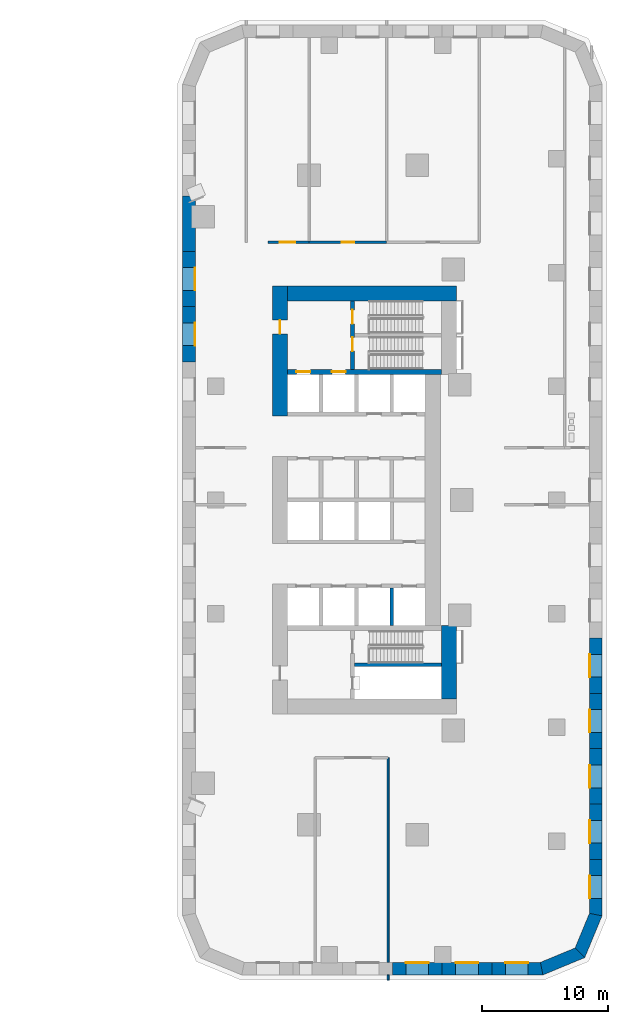
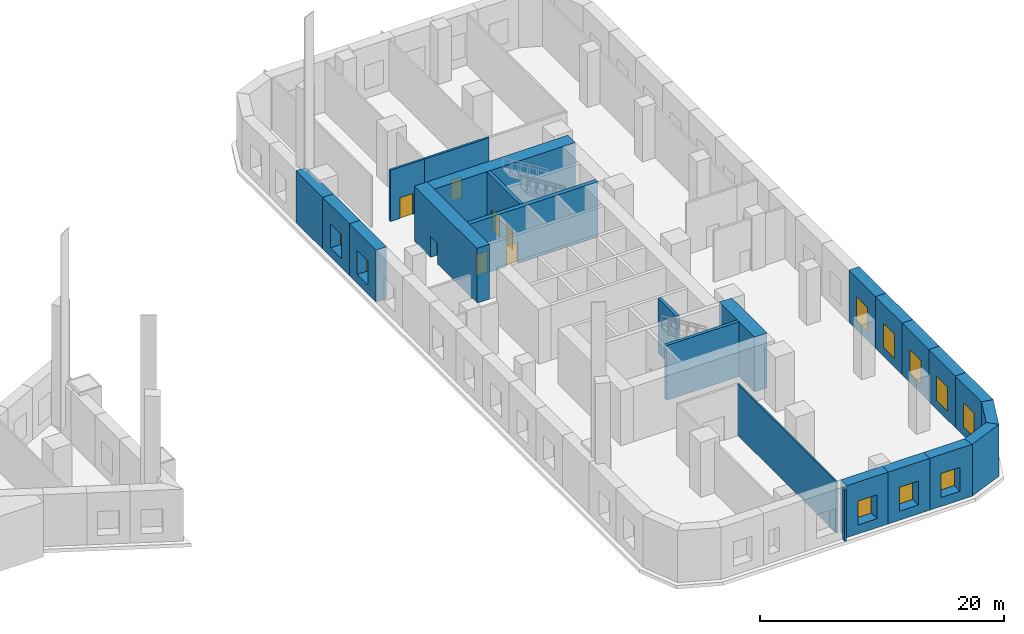
# One storey, part 4 of 12: 24 walls, 10 windows, 7 doors, 17 openings.
"""IFC4 building model written with IfcOpenShell, lengths in metres."""

from ifc_helpers import new_model, si_unit, direction, frame, frame_2d, origin, place, context, subcontext, project, spatial, polyline, rectangle, outline, extrude, material, layer, layer_set, type_object, element, fill, save


model = new_model("IFC4")

# Units and contexts
model_context = context("Model", 3, precision=1e-05, world=origin(), true_north=direction((0.0, 1.0)))
body_context = subcontext(model_context, "Body", "Model", "MODEL_VIEW")
ifc_project = project(units=[si_unit("LENGTHUNIT", "METRE"), si_unit("AREAUNIT", "SQUARE_METRE"), si_unit("VOLUMEUNIT", "CUBIC_METRE"), si_unit("PLANEANGLEUNIT", "RADIAN"), si_unit("MASSUNIT", "GRAM", prefix="KILO")], contexts=[model_context])

# Site, building, storey
site_placement = place(None, origin())
site = spatial("IfcSite", under=ifc_project, at=site_placement, CompositionType="ELEMENT")
building_placement = place(site_placement, origin())
building = spatial("IfcBuilding", under=site, at=building_placement, Name="Ostrand Prow Hotel Tower", CompositionType="ELEMENT")
storey_placement = place(building_placement, frame((0.0, 0.0, 8.0)))
storey = spatial("IfcBuildingStorey", under=building, at=storey_placement, Name="L01", CompositionType="ELEMENT", Elevation=8.0)

# Wall, opening, door
ifc_material_1 = material(Name="Concrete C80/95", Category="concrete")
ifc_layer_1 = layer(ifc_material_1, 1.199951171875)
ifc_layer_set_1 = layer_set([ifc_layer_1], Name="Concrete C80/95")
wall_type_1 = type_object("IfcWallType", Name="Core wall 1200 C80/95", PredefinedType="SHEAR", material=ifc_layer_set_1)
wall_1_placement = place(storey_placement, frame((50.10009765625, 6.64990234375, 0.0), z_axis=(0.0, 0.0, 1.0), x_axis=(0.0, 1.0, 0.0)))
wall_1 = element("IfcWall", 1, at=wall_1_placement, inside=storey, type_object=wall_type_1, Name="Core wall CW-W-N", PredefinedType="SHEAR", context=body_context, shape_type="SweptSolid", body=[
    extrude(rectangle(XDim=10.300048828125, YDim=1.199951171875, at=frame_2d((5.14990234375, 0.0))), origin(), (0.0, 0.0, 1.0), 5.5),
])
opening_1_placement = place(wall_1_placement, frame((6.5, 0.0, 0.0)))
opening_1 = element("IfcOpeningElement", 2, at=opening_1_placement, cuts=wall_1, Name="Opening FD1", PredefinedType="OPENING", context=body_context, shape_type="SweptSolid", body=[
    extrude(rectangle(XDim=1.10009765625, YDim=2.10009765625, at=frame_2d((0.550048828125, 1.050048828125))), frame((0.0, 0.60986328125, 0.0), z_axis=(0.0, -1.0, 0.0), x_axis=(1.0, 0.0, 0.0)), (0.0, 0.0, 1.0), 1.219970703125),
])
ifc_material_2 = material(Name="Steel fire door", Category="steel")
door_type_1 = type_object("IfcDoorType", Name="Fire door 1100 EI120", OperationType="SINGLE_SWING_RIGHT", PredefinedType="DOOR", material=ifc_material_2)
door_1_placement = place(opening_1_placement, origin())
door_1 = element("IfcDoor", 3, at=door_1_placement, inside=storey, type_object=door_type_1, Name="FIRE DOOR", OperationType="SINGLE_SWING_RIGHT", OverallHeight=2.10009765625, OverallWidth=1.10009765625, PredefinedType="DOOR", context=body_context, shape_type="SweptSolid", body=[
    extrude(rectangle(XDim=1.10009765625, YDim=2.10009765625, at=frame_2d((0.550048828125, 1.050048828125))), frame((0.0, 0.02490234375, 0.0), z_axis=(0.0, -1.0, 0.0), x_axis=(1.0, 0.0, 0.0)), (0.0, 0.0, 1.0), 0.050048828125),
])
fill(opening_1, door_1)

# Walls
wall_2_placement = place(storey_placement, frame((50.699951171875, 16.35009765625, 0.0), z_axis=(0.0, 0.0, 1.0), x_axis=(1.0, 0.0, 0.0)))
element("IfcWall", 4, at=wall_2_placement, inside=storey, type_object=wall_type_1, Name="Core wall CW-N", PredefinedType="SHEAR", context=body_context, shape_type="SweptSolid", body=[
    extrude(rectangle(XDim=13.380126953125, YDim=1.199951171875, at=frame_2d((6.68994140625, 0.0))), origin(), (0.0, 0.0, 1.0), 5.5),
])
wall_3_placement = place(storey_placement, frame((63.47998046875, -15.75, 0.0), z_axis=(0.0, 0.0, 1.0), x_axis=(0.0, 1.0, 0.0)))
element("IfcWall", 5, at=wall_3_placement, inside=storey, type_object=wall_type_1, Name="Core wall CW-E-S", PredefinedType="SHEAR", context=body_context, shape_type="SweptSolid", body=[
    extrude(rectangle(XDim=5.800048828125, YDim=1.199951171875, at=frame_2d((2.89990234375, 0.0))), origin(), (0.0, 0.0, 1.0), 5.5),
])
ifc_material_3 = material(Name="Concrete C80/95", Category="concrete")
ifc_layer_2 = layer(ifc_material_3, 0.300048828125)
ifc_layer_set_2 = layer_set([ifc_layer_2], Name="Concrete C80/95")
wall_type_2 = type_object("IfcWallType", Name="Core wall 300 C80/95", PredefinedType="SHEAR", material=ifc_layer_set_2)
wall_4_placement = place(storey_placement, frame((58.949951171875, -9.949951171875, 0.0), z_axis=(0.0, 0.0, 1.0), x_axis=(0.0, 1.0, 0.0)))
element("IfcWall", 6, at=wall_4_placement, inside=storey, type_object=wall_type_2, Name="Core wall PW-R3-SA", PredefinedType="SHEAR", context=body_context, shape_type="SweptSolid", body=[
    extrude(rectangle(XDim=3.0, YDim=0.300048828125, at=frame_2d((1.5, 0.0))), origin(), (0.0, 0.0, 1.0), 5.5),
])

# Wall, openings, doors
wall_5_placement = place(storey_placement, frame((55.85009765625, 10.35009765625, 0.0), z_axis=(0.0, 0.0, 1.0), x_axis=(0.0, 1.0, 0.0)))
wall_5 = element("IfcWall", 7, at=wall_5_placement, inside=storey, type_object=wall_type_2, Name="Core wall PW-VN", PredefinedType="SHEAR", context=body_context, shape_type="SweptSolid", body=[
    extrude(rectangle(XDim=5.39990234375, YDim=0.300048828125, at=frame_2d((2.699951171875, 0.0))), origin(), (0.0, 0.0, 1.0), 5.5),
])
opening_2_placement = place(wall_5_placement, frame((1.429931640625, 0.0, 0.0)))
opening_2 = element("IfcOpeningElement", 8, at=opening_2_placement, cuts=wall_5, Name="Opening FD1", PredefinedType="OPENING", context=body_context, shape_type="SweptSolid", body=[
    extrude(rectangle(XDim=1.10009765625, YDim=2.10009765625, at=frame_2d((0.550048828125, 1.050048828125))), frame((0.0, 0.159912109375, 0.0), z_axis=(0.0, -1.0, 0.0), x_axis=(1.0, 0.0, 0.0)), (0.0, 0.0, 1.0), 0.320068359375),
])
opening_3_placement = place(wall_5_placement, frame((3.60009765625, 0.0, 0.0)))
opening_3 = element("IfcOpeningElement", 9, at=opening_3_placement, cuts=wall_5, Name="Opening FD1", PredefinedType="OPENING", context=body_context, shape_type="SweptSolid", body=[
    extrude(rectangle(XDim=1.10009765625, YDim=2.10009765625, at=frame_2d((0.550048828125, 1.050048828125))), frame((0.0, 0.159912109375, 0.0), z_axis=(0.0, -1.0, 0.0), x_axis=(1.0, 0.0, 0.0)), (0.0, 0.0, 1.0), 0.320068359375),
])
door_2_placement = place(opening_2_placement, origin())
door_2 = element("IfcDoor", 10, at=door_2_placement, inside=storey, type_object=door_type_1, Name="FIRE DOOR", OperationType="SINGLE_SWING_RIGHT", OverallHeight=2.10009765625, OverallWidth=1.10009765625, PredefinedType="DOOR", context=body_context, shape_type="SweptSolid", body=[
    extrude(rectangle(XDim=1.10009765625, YDim=2.10009765625, at=frame_2d((0.550048828125, 1.050048828125))), frame((0.0, 0.02490234375, 0.0), z_axis=(0.0, -1.0, 0.0), x_axis=(1.0, 0.0, 0.0)), (0.0, 0.0, 1.0), 0.050048828125),
])
fill(opening_2, door_2)
door_3_placement = place(opening_3_placement, origin())
door_3 = element("IfcDoor", 11, at=door_3_placement, inside=storey, type_object=door_type_1, Name="FIRE DOOR", OperationType="SINGLE_SWING_RIGHT", OverallHeight=2.10009765625, OverallWidth=1.10009765625, PredefinedType="DOOR", context=body_context, shape_type="SweptSolid", body=[
    extrude(rectangle(XDim=1.10009765625, YDim=2.10009765625, at=frame_2d((0.550048828125, 1.050048828125))), frame((0.0, 0.02490234375, 0.0), z_axis=(0.0, -1.0, 0.0), x_axis=(1.0, 0.0, 0.0)), (0.0, 0.0, 1.0), 0.050048828125),
])
fill(opening_3, door_3)

# Wall
wall_6_placement = place(storey_placement, frame((56.0, -13.050048828125, 0.0), z_axis=(0.0, 0.0, 1.0), x_axis=(1.0, 0.0, 0.0)))
element("IfcWall", 12, at=wall_6_placement, inside=storey, type_object=wall_type_2, Name="Core wall PW-ST2R", PredefinedType="SHEAR", context=body_context, shape_type="SweptSolid", body=[
    extrude(rectangle(XDim=6.8798828125, YDim=0.300048828125, at=frame_2d((3.43994140625, 0.0))), origin(), (0.0, 0.0, 1.0), 5.5),
])

# Wall, openings, doors
ifc_material_4 = material(Name="Concrete C80/95", Category="concrete")
ifc_layer_3 = layer(ifc_material_4, 0.39990234375)
ifc_layer_set_3 = layer_set([ifc_layer_3], Name="Concrete C80/95")
wall_type_3 = type_object("IfcWallType", Name="Core wall 400 C80/95", PredefinedType="SHEAR", material=ifc_layer_set_3)
wall_7_placement = place(storey_placement, frame((50.699951171875, 10.14990234375, 0.0), z_axis=(0.0, 0.0, 1.0), x_axis=(1.0, 0.0, 0.0)))
wall_7 = element("IfcWall", 13, at=wall_7_placement, inside=storey, type_object=wall_type_3, Name="Core wall PW-BN", PredefinedType="SHEAR", context=body_context, shape_type="SweptSolid", body=[
    extrude(rectangle(XDim=12.179931640625, YDim=0.39990234375, at=frame_2d((6.08984375, 0.0))), origin(), (0.0, 0.0, 1.0), 5.5),
])
opening_4_placement = place(wall_7_placement, frame((0.699951171875, 0.0, 0.0)))
opening_4 = element("IfcOpeningElement", 14, at=opening_4_placement, cuts=wall_7, Name="Opening LD", PredefinedType="OPENING", context=body_context, shape_type="SweptSolid", body=[
    extrude(rectangle(XDim=1.10009765625, YDim=2.10009765625, at=frame_2d((0.550048828125, 1.050048828125))), frame((0.0, 0.2099609375, 0.0), z_axis=(0.0, -1.0, 0.0), x_axis=(1.0, 0.0, 0.0)), (0.0, 0.0, 1.0), 0.419921875),
])
opening_5_placement = place(wall_7_placement, frame((3.5, 0.0, 0.0)))
opening_5 = element("IfcOpeningElement", 15, at=opening_5_placement, cuts=wall_7, Name="Opening LD", PredefinedType="OPENING", context=body_context, shape_type="SweptSolid", body=[
    extrude(rectangle(XDim=1.10009765625, YDim=2.10009765625, at=frame_2d((0.550048828125, 1.050048828125))), frame((0.0, 0.2099609375, 0.0), z_axis=(0.0, -1.0, 0.0), x_axis=(1.0, 0.0, 0.0)), (0.0, 0.0, 1.0), 0.419921875),
])
ifc_material_5 = material(Name="Stainless steel door", Category="steel")
door_type_2 = type_object("IfcDoorType", Name="Lift landing door 1100", OperationType="DOUBLE_DOOR_SLIDING", PredefinedType="DOOR", material=ifc_material_5)
door_4_placement = place(opening_4_placement, origin())
door_4 = element("IfcDoor", 16, at=door_4_placement, inside=storey, type_object=door_type_2, Name="LIFT LANDING DOOR", OperationType="DOUBLE_DOOR_SLIDING", OverallHeight=2.10009765625, OverallWidth=1.10009765625, PredefinedType="DOOR", context=body_context, shape_type="SweptSolid", body=[
    extrude(rectangle(XDim=1.10009765625, YDim=2.10009765625, at=frame_2d((0.550048828125, 1.050048828125))), frame((0.0, 0.02490234375, 0.0), z_axis=(0.0, -1.0, 0.0), x_axis=(1.0, 0.0, 0.0)), (0.0, 0.0, 1.0), 0.050048828125),
])
fill(opening_4, door_4)
door_5_placement = place(opening_5_placement, origin())
door_5 = element("IfcDoor", 17, at=door_5_placement, inside=storey, type_object=door_type_2, Name="LIFT LANDING DOOR", OperationType="DOUBLE_DOOR_SLIDING", OverallHeight=2.10009765625, OverallWidth=1.10009765625, PredefinedType="DOOR", context=body_context, shape_type="SweptSolid", body=[
    extrude(rectangle(XDim=1.10009765625, YDim=2.10009765625, at=frame_2d((0.550048828125, 1.050048828125))), frame((0.0, 0.02490234375, 0.0), z_axis=(0.0, -1.0, 0.0), x_axis=(1.0, 0.0, 0.0)), (0.0, 0.0, 1.0), 0.050048828125),
])
fill(opening_5, door_5)

# Walls
ifc_material_6 = material(Name="Plasterboard partition")
ifc_layer_4 = layer(ifc_material_6, 0.14990234375)
ifc_layer_set_4 = layer_set([ifc_layer_4], Name="Plasterboard partition")
wall_type_4 = type_object("IfcWallType", Name="Partition 150 room partition", PredefinedType="PARTITIONING", material=ifc_layer_set_4)
wall_8_placement = place(storey_placement, frame((58.659912109375, -38.0, 0.0), z_axis=(0.0, 0.0, 1.0), x_axis=(0.0, 1.0, 0.0)))
element("IfcWall", 18, at=wall_8_placement, inside=storey, type_object=wall_type_4, Name="ROOM PARTITION", PredefinedType="PARTITIONING", context=body_context, shape_type="SweptSolid", body=[
    extrude(rectangle(XDim=0.39990234375, YDim=0.14990234375, at=frame_2d((0.199951171875, 0.0))), origin(), (0.0, 0.0, 1.0), 5.14990234375),
])
wall_9_placement = place(storey_placement, frame((58.659912109375, -36.60009765625, 0.0), z_axis=(0.0, 0.0, 1.0), x_axis=(0.0, 1.0, 0.0)))
element("IfcWall", 19, at=wall_9_placement, inside=storey, type_object=wall_type_4, Name="ROOM PARTITION", PredefinedType="PARTITIONING", context=body_context, shape_type="SweptSolid", body=[
    extrude(rectangle(XDim=16.2001953125, YDim=0.14990234375, at=frame_2d((8.10009765625, 0.0))), origin(), (0.0, 0.0, 1.0), 5.14990234375),
])

# Wall, opening, door
ifc_material_7 = material(Name="Plasterboard partition")
ifc_layer_5 = layer(ifc_material_7, 0.199951171875)
ifc_layer_set_5 = layer_set([ifc_layer_5], Name="Plasterboard partition")
wall_type_5 = type_object("IfcWallType", Name="Partition 200 corridor wall", PredefinedType="PARTITIONING", material=ifc_layer_set_5)
wall_10_placement = place(storey_placement, frame((52.414306640625, 20.39990234375, 0.0), z_axis=(0.0, 0.0, 1.0), x_axis=(-1.0, 0.0, 0.0)))
wall_10 = element("IfcWall", 20, at=wall_10_placement, inside=storey, type_object=wall_type_5, Name="CORRIDOR WALL", PredefinedType="PARTITIONING", context=body_context, shape_type="SweptSolid", body=[
    extrude(rectangle(XDim=3.244384765625, YDim=0.199951171875, at=frame_2d((1.6220703125, 0.0))), origin(), (0.0, 0.0, 1.0), 5.14990234375),
])
opening_6_placement = place(wall_10_placement, frame((1.122314453125, 0.0, 0.0)))
opening_6 = element("IfcOpeningElement", 21, at=opening_6_placement, cuts=wall_10, Name="Opening D12", PredefinedType="OPENING", context=body_context, shape_type="SweptSolid", body=[
    extrude(rectangle(XDim=1.199951171875, YDim=2.10009765625, at=frame_2d((0.60009765625, 1.050048828125))), frame((0.0, 0.10986328125, 0.0), z_axis=(0.0, -1.0, 0.0), x_axis=(1.0, 0.0, 0.0)), (0.0, 0.0, 1.0), 0.219970703125),
])
ifc_material_8 = material(Name="Steel service door", Category="steel")
door_type_3 = type_object("IfcDoorType", Name="Service door 1200", OperationType="SINGLE_SWING_RIGHT", PredefinedType="DOOR", material=ifc_material_8)
door_6_placement = place(opening_6_placement, origin())
door_6 = element("IfcDoor", 22, at=door_6_placement, inside=storey, type_object=door_type_3, Name="DOOR", OperationType="SINGLE_SWING_RIGHT", OverallHeight=2.10009765625, OverallWidth=1.199951171875, PredefinedType="DOOR", context=body_context, shape_type="SweptSolid", body=[
    extrude(rectangle(XDim=1.199951171875, YDim=2.10009765625, at=frame_2d((0.60009765625, 1.050048828125))), frame((0.0, 0.02490234375, 0.0), z_axis=(0.0, -1.0, 0.0), x_axis=(1.0, 0.0, 0.0)), (0.0, 0.0, 1.0), 0.050048828125),
])
fill(opening_6, door_6)

wall_11_placement = place(storey_placement, frame((58.54052734375, 20.39990234375, 0.0), z_axis=(0.0, 0.0, 1.0), x_axis=(-1.0, 0.0, 0.0)))
wall_11 = element("IfcWall", 23, at=wall_11_placement, inside=storey, type_object=wall_type_5, Name="CORRIDOR WALL", PredefinedType="PARTITIONING", context=body_context, shape_type="SweptSolid", body=[
    extrude(rectangle(XDim=6.126220703125, YDim=0.199951171875, at=frame_2d((3.06298828125, 0.0))), origin(), (0.0, 0.0, 1.0), 5.14990234375),
])
opening_7_placement = place(wall_11_placement, frame((2.56298828125, 0.0, 0.0)))
opening_7 = element("IfcOpeningElement", 24, at=opening_7_placement, cuts=wall_11, Name="Opening D1R", PredefinedType="OPENING", context=body_context, shape_type="SweptSolid", body=[
    extrude(rectangle(XDim=1.0, YDim=2.10009765625, at=frame_2d((0.5, 1.050048828125))), frame((0.0, 0.10986328125, 0.0), z_axis=(0.0, -1.0, 0.0), x_axis=(1.0, 0.0, 0.0)), (0.0, 0.0, 1.0), 0.219970703125),
])
ifc_material_9 = material(Name="Timber door leaf", Category="wood")
door_type_4 = type_object("IfcDoorType", Name="Guest room door 1000 right", OperationType="SINGLE_SWING_RIGHT", PredefinedType="DOOR", material=ifc_material_9)
door_7_placement = place(opening_7_placement, origin())
door_7 = element("IfcDoor", 25, at=door_7_placement, inside=storey, type_object=door_type_4, Name="DOOR", OperationType="SINGLE_SWING_RIGHT", OverallHeight=2.10009765625, OverallWidth=1.0, PredefinedType="DOOR", context=body_context, shape_type="SweptSolid", body=[
    extrude(rectangle(XDim=1.0, YDim=2.10009765625, at=frame_2d((0.5, 1.050048828125))), frame((0.0, 0.02490234375, 0.0), z_axis=(0.0, -1.0, 0.0), x_axis=(1.0, 0.0, 0.0)), (0.0, 0.0, 1.0), 0.050048828125),
])
fill(opening_7, door_7)

# Wall, opening, window
ifc_material_10 = material(Name="Precast concrete C40/50", Category="concrete")
ifc_layer_6 = layer(ifc_material_10, 1.0)
ifc_layer_set_6 = layer_set([ifc_layer_6], Name="Precast concrete C40/50")
wall_type_6 = type_object("IfcWallType", Name="Portal pier wall 1000 mm", PredefinedType="NOTDEFINED", material=ifc_layer_set_6)
wall_12_placement = place(storey_placement, frame((59.0, -37.10009765625, 0.0), z_axis=(0.0, 0.0, 1.0), x_axis=(1.0, 0.0, 0.0)))
wall_12 = element("IfcWall", 26, at=wall_12_placement, inside=storey, type_object=wall_type_6, Name="Portal pier wall L01-PP103", PredefinedType="NOTDEFINED", context=body_context, shape_type="SweptSolid", body=[
    extrude(outline(polyline([(0.0, -0.5), (3.940185546875, -0.5), (3.940185546875, 0.5), (0.0, 0.5), (0.0, -0.5)])), origin(), (0.0, 0.0, 1.0), 5.199951171875),
])
opening_8_placement = place(wall_12_placement, frame((1.0703125, 0.0, 0.89990234375)))
opening_8 = element("IfcOpeningElement", 27, at=opening_8_placement, cuts=wall_12, Name="Opening WP2", PredefinedType="OPENING", context=body_context, shape_type="SweptSolid", body=[
    extrude(rectangle(XDim=1.800048828125, YDim=2.39990234375, at=frame_2d((0.89990234375, 1.199951171875))), frame((0.0, 0.510009765625, 0.0), z_axis=(0.0, -1.0, 0.0), x_axis=(1.0, 0.0, 0.0)), (0.0, 0.0, 1.0), 1.02001953125),
])
ifc_material_11 = material(Name="Insulated glass in bronze anodised frame", Category="glass")
window_type = type_object("IfcWindowType", Name="Portal window 1800x2400", PartitioningType="SINGLE_PANEL", PredefinedType="WINDOW", material=ifc_material_11)
window_1_placement = place(opening_8_placement, origin())
window_1 = element("IfcWindow", 28, at=window_1_placement, inside=storey, type_object=window_type, Name="Portal window L01-PP103", OverallHeight=2.39990234375, OverallWidth=1.800048828125, PartitioningType="SINGLE_PANEL", PredefinedType="WINDOW", context=body_context, shape_type="SweptSolid", body=[
    extrude(rectangle(XDim=1.800048828125, YDim=2.39990234375, at=frame_2d((0.89990234375, 1.199951171875))), frame((0.0, 0.5, 0.0), z_axis=(0.0, -1.0, 0.0), x_axis=(1.0, 0.0, 0.0)), (0.0, 0.0, 1.0), 0.06005859375),
])
fill(opening_8, window_1)

wall_13_placement = place(storey_placement, frame((62.940185546875, -37.10009765625, 0.0), z_axis=(0.0, 0.0, 1.0), x_axis=(1.0, 0.0, 0.0)))
wall_13 = element("IfcWall", 29, at=wall_13_placement, inside=storey, type_object=wall_type_6, Name="Portal pier wall L01-PP104", PredefinedType="NOTDEFINED", context=body_context, shape_type="SweptSolid", body=[
    extrude(outline(polyline([(0.0, -0.5), (3.9404296875, -0.5), (3.9404296875, 0.5), (0.0, 0.5), (0.0, -0.5)])), origin(), (0.0, 0.0, 1.0), 5.199951171875),
])
opening_9_placement = place(wall_13_placement, frame((1.0703125, 0.0, 0.89990234375)))
opening_9 = element("IfcOpeningElement", 30, at=opening_9_placement, cuts=wall_13, Name="Opening WP2", PredefinedType="OPENING", context=body_context, shape_type="SweptSolid", body=[
    extrude(rectangle(XDim=1.800048828125, YDim=2.39990234375, at=frame_2d((0.89990234375, 1.199951171875))), frame((0.0, 0.510009765625, 0.0), z_axis=(0.0, -1.0, 0.0), x_axis=(1.0, 0.0, 0.0)), (0.0, 0.0, 1.0), 1.02001953125),
])
window_2_placement = place(opening_9_placement, origin())
window_2 = element("IfcWindow", 31, at=window_2_placement, inside=storey, type_object=window_type, Name="Portal window L01-PP104", OverallHeight=2.39990234375, OverallWidth=1.800048828125, PartitioningType="SINGLE_PANEL", PredefinedType="WINDOW", context=body_context, shape_type="SweptSolid", body=[
    extrude(rectangle(XDim=1.800048828125, YDim=2.39990234375, at=frame_2d((0.89990234375, 1.199951171875))), frame((0.0, 0.5, 0.0), z_axis=(0.0, -1.0, 0.0), x_axis=(1.0, 0.0, 0.0)), (0.0, 0.0, 1.0), 0.06005859375),
])
fill(opening_9, window_2)

wall_14_placement = place(storey_placement, frame((66.880615234375, -37.10009765625, 0.0), z_axis=(0.0, 0.0, 1.0), x_axis=(1.0, 0.0, 0.0)))
wall_14 = element("IfcWall", 32, at=wall_14_placement, inside=storey, type_object=wall_type_6, Name="Portal pier wall L01-PP105", PredefinedType="NOTDEFINED", context=body_context, shape_type="SweptSolid", body=[
    extrude(outline(polyline([(0.0, -0.5), (4.0400390625, -0.5), (3.8408203125, 0.5), (0.0, 0.5), (0.0, -0.5)])), origin(), (0.0, 0.0, 1.0), 5.199951171875),
])
opening_10_placement = place(wall_14_placement, frame((1.0703125, 0.0, 0.89990234375)))
opening_10 = element("IfcOpeningElement", 33, at=opening_10_placement, cuts=wall_14, Name="Opening WP2", PredefinedType="OPENING", context=body_context, shape_type="SweptSolid", body=[
    extrude(rectangle(XDim=1.800048828125, YDim=2.39990234375, at=frame_2d((0.89990234375, 1.199951171875))), frame((0.0, 0.510009765625, 0.0), z_axis=(0.0, -1.0, 0.0), x_axis=(1.0, 0.0, 0.0)), (0.0, 0.0, 1.0), 1.02001953125),
])
window_3_placement = place(opening_10_placement, origin())
window_3 = element("IfcWindow", 34, at=window_3_placement, inside=storey, type_object=window_type, Name="Portal window L01-PP105", OverallHeight=2.39990234375, OverallWidth=1.800048828125, PartitioningType="SINGLE_PANEL", PredefinedType="WINDOW", context=body_context, shape_type="SweptSolid", body=[
    extrude(rectangle(XDim=1.800048828125, YDim=2.39990234375, at=frame_2d((0.89990234375, 1.199951171875))), frame((0.0, 0.5, 0.0), z_axis=(0.0, -1.0, 0.0), x_axis=(1.0, 0.0, 0.0)), (0.0, 0.0, 1.0), 0.06005859375),
])
fill(opening_10, window_3)

# Walls
wall_15_placement = place(storey_placement, frame((70.821044921875, -37.10009765625, 0.0), z_axis=(0.0, 0.0, 1.0), x_axis=(0.923862365102, 0.382724875529, 0.0)))
element("IfcWall", 35, at=wall_15_placement, inside=storey, type_object=wall_type_6, Name="Portal pier wall L01-PP106", PredefinedType="NOTDEFINED", context=body_context, shape_type="SweptSolid", body=[
    extrude(outline(polyline([(-0.099609375, -0.5), (3.48193359375, -0.5), (3.06787109375, 0.5), (0.099609375, 0.5), (-0.099609375, -0.5)])), origin(), (0.0, 0.0, 1.0), 5.199951171875),
])
wall_16_placement = place(storey_placement, frame((73.8466796875, -35.8466796875, 0.0), z_axis=(0.0, 0.0, 1.0), x_axis=(0.382724875529, 0.923862365102, 0.0)))
element("IfcWall", 36, at=wall_16_placement, inside=storey, type_object=wall_type_6, Name="Portal pier wall L01-PP107", PredefinedType="NOTDEFINED", context=body_context, shape_type="SweptSolid", body=[
    extrude(outline(polyline([(-0.20703125, -0.5), (3.37451171875, -0.5), (3.17529296875, 0.5), (0.20703125, 0.5), (-0.20703125, -0.5)])), origin(), (0.0, 0.0, 1.0), 5.199951171875),
])

# Wall, opening, window
wall_17_placement = place(storey_placement, frame((75.10009765625, -32.821044921875, 0.0), z_axis=(0.0, 0.0, 1.0), x_axis=(0.0, 1.0, 0.0)))
wall_17 = element("IfcWall", 37, at=wall_17_placement, inside=storey, type_object=wall_type_6, Name="Portal pier wall L01-PP108", PredefinedType="NOTDEFINED", context=body_context, shape_type="SweptSolid", body=[
    extrude(outline(polyline([(-0.099609375, -0.5), (4.376220703125, -0.5), (4.376220703125, 0.5), (0.099609375, 0.5), (-0.099609375, -0.5)])), origin(), (0.0, 0.0, 1.0), 5.199951171875),
])
opening_11_placement = place(wall_17_placement, frame((1.2880859375, 0.0, 0.89990234375)))
opening_11 = element("IfcOpeningElement", 38, at=opening_11_placement, cuts=wall_17, Name="Opening WP2", PredefinedType="OPENING", context=body_context, shape_type="SweptSolid", body=[
    extrude(rectangle(XDim=1.800048828125, YDim=2.39990234375, at=frame_2d((0.89990234375, 1.199951171875))), frame((0.0, 0.510009765625, 0.0), z_axis=(0.0, -1.0, 0.0), x_axis=(1.0, 0.0, 0.0)), (0.0, 0.0, 1.0), 1.02001953125),
])
window_4_placement = place(opening_11_placement, origin())
window_4 = element("IfcWindow", 39, at=window_4_placement, inside=storey, type_object=window_type, Name="Portal window L01-PP108", OverallHeight=2.39990234375, OverallWidth=1.800048828125, PartitioningType="SINGLE_PANEL", PredefinedType="WINDOW", context=body_context, shape_type="SweptSolid", body=[
    extrude(rectangle(XDim=1.800048828125, YDim=2.39990234375, at=frame_2d((0.89990234375, 1.199951171875))), frame((0.0, 0.5, 0.0), z_axis=(0.0, -1.0, 0.0), x_axis=(1.0, 0.0, 0.0)), (0.0, 0.0, 1.0), 0.06005859375),
])
fill(opening_11, window_4)

wall_18_placement = place(storey_placement, frame((75.10009765625, -28.44482421875, 0.0), z_axis=(0.0, 0.0, 1.0), x_axis=(0.0, 1.0, 0.0)))
wall_18 = element("IfcWall", 40, at=wall_18_placement, inside=storey, type_object=wall_type_6, Name="Portal pier wall L01-PP109", PredefinedType="NOTDEFINED", context=body_context, shape_type="SweptSolid", body=[
    extrude(outline(polyline([(0.0, -0.5), (4.376220703125, -0.5), (4.376220703125, 0.5), (0.0, 0.5), (0.0, -0.5)])), origin(), (0.0, 0.0, 1.0), 5.199951171875),
])
opening_12_placement = place(wall_18_placement, frame((1.2880859375, 0.0, 0.89990234375)))
opening_12 = element("IfcOpeningElement", 41, at=opening_12_placement, cuts=wall_18, Name="Opening WP2", PredefinedType="OPENING", context=body_context, shape_type="SweptSolid", body=[
    extrude(rectangle(XDim=1.800048828125, YDim=2.39990234375, at=frame_2d((0.89990234375, 1.199951171875))), frame((0.0, 0.510009765625, 0.0), z_axis=(0.0, -1.0, 0.0), x_axis=(1.0, 0.0, 0.0)), (0.0, 0.0, 1.0), 1.02001953125),
])
window_5_placement = place(opening_12_placement, origin())
window_5 = element("IfcWindow", 42, at=window_5_placement, inside=storey, type_object=window_type, Name="Portal window L01-PP109", OverallHeight=2.39990234375, OverallWidth=1.800048828125, PartitioningType="SINGLE_PANEL", PredefinedType="WINDOW", context=body_context, shape_type="SweptSolid", body=[
    extrude(rectangle(XDim=1.800048828125, YDim=2.39990234375, at=frame_2d((0.89990234375, 1.199951171875))), frame((0.0, 0.5, 0.0), z_axis=(0.0, -1.0, 0.0), x_axis=(1.0, 0.0, 0.0)), (0.0, 0.0, 1.0), 0.06005859375),
])
fill(opening_12, window_5)

wall_19_placement = place(storey_placement, frame((75.10009765625, -24.068603515625, 0.0), z_axis=(0.0, 0.0, 1.0), x_axis=(0.0, 1.0, 0.0)))
wall_19 = element("IfcWall", 43, at=wall_19_placement, inside=storey, type_object=wall_type_6, Name="Portal pier wall L01-PP110", PredefinedType="NOTDEFINED", context=body_context, shape_type="SweptSolid", body=[
    extrude(outline(polyline([(0.0, -0.5), (4.3759765625, -0.5), (4.3759765625, 0.5), (0.0, 0.5), (0.0, -0.5)])), origin(), (0.0, 0.0, 1.0), 5.199951171875),
])
opening_13_placement = place(wall_19_placement, frame((1.2880859375, 0.0, 0.89990234375)))
opening_13 = element("IfcOpeningElement", 44, at=opening_13_placement, cuts=wall_19, Name="Opening WP2", PredefinedType="OPENING", context=body_context, shape_type="SweptSolid", body=[
    extrude(rectangle(XDim=1.800048828125, YDim=2.39990234375, at=frame_2d((0.89990234375, 1.199951171875))), frame((0.0, 0.510009765625, 0.0), z_axis=(0.0, -1.0, 0.0), x_axis=(1.0, 0.0, 0.0)), (0.0, 0.0, 1.0), 1.02001953125),
])
window_6_placement = place(opening_13_placement, origin())
window_6 = element("IfcWindow", 45, at=window_6_placement, inside=storey, type_object=window_type, Name="Portal window L01-PP110", OverallHeight=2.39990234375, OverallWidth=1.800048828125, PartitioningType="SINGLE_PANEL", PredefinedType="WINDOW", context=body_context, shape_type="SweptSolid", body=[
    extrude(rectangle(XDim=1.800048828125, YDim=2.39990234375, at=frame_2d((0.89990234375, 1.199951171875))), frame((0.0, 0.5, 0.0), z_axis=(0.0, -1.0, 0.0), x_axis=(1.0, 0.0, 0.0)), (0.0, 0.0, 1.0), 0.06005859375),
])
fill(opening_13, window_6)

wall_20_placement = place(storey_placement, frame((75.10009765625, -19.692626953125, 0.0), z_axis=(0.0, 0.0, 1.0), x_axis=(0.0, 1.0, 0.0)))
wall_20 = element("IfcWall", 46, at=wall_20_placement, inside=storey, type_object=wall_type_6, Name="Portal pier wall L01-PP111", PredefinedType="NOTDEFINED", context=body_context, shape_type="SweptSolid", body=[
    extrude(outline(polyline([(0.0, -0.5), (4.376220703125, -0.5), (4.376220703125, 0.5), (0.0, 0.5), (0.0, -0.5)])), origin(), (0.0, 0.0, 1.0), 5.199951171875),
])
opening_14_placement = place(wall_20_placement, frame((1.2880859375, 0.0, 0.89990234375)))
opening_14 = element("IfcOpeningElement", 47, at=opening_14_placement, cuts=wall_20, Name="Opening WP2", PredefinedType="OPENING", context=body_context, shape_type="SweptSolid", body=[
    extrude(rectangle(XDim=1.800048828125, YDim=2.39990234375, at=frame_2d((0.89990234375, 1.199951171875))), frame((0.0, 0.510009765625, 0.0), z_axis=(0.0, -1.0, 0.0), x_axis=(1.0, 0.0, 0.0)), (0.0, 0.0, 1.0), 1.02001953125),
])
window_7_placement = place(opening_14_placement, origin())
window_7 = element("IfcWindow", 48, at=window_7_placement, inside=storey, type_object=window_type, Name="Portal window L01-PP111", OverallHeight=2.39990234375, OverallWidth=1.800048828125, PartitioningType="SINGLE_PANEL", PredefinedType="WINDOW", context=body_context, shape_type="SweptSolid", body=[
    extrude(rectangle(XDim=1.800048828125, YDim=2.39990234375, at=frame_2d((0.89990234375, 1.199951171875))), frame((0.0, 0.5, 0.0), z_axis=(0.0, -1.0, 0.0), x_axis=(1.0, 0.0, 0.0)), (0.0, 0.0, 1.0), 0.06005859375),
])
fill(opening_14, window_7)

wall_21_placement = place(storey_placement, frame((75.10009765625, -15.31640625, 0.0), z_axis=(0.0, 0.0, 1.0), x_axis=(0.0, 1.0, 0.0)))
wall_21 = element("IfcWall", 49, at=wall_21_placement, inside=storey, type_object=wall_type_6, Name="Portal pier wall L01-PP112", PredefinedType="NOTDEFINED", context=body_context, shape_type="SweptSolid", body=[
    extrude(outline(polyline([(0.0, -0.5), (4.376220703125, -0.5), (4.376220703125, 0.5), (0.0, 0.5), (0.0, -0.5)])), origin(), (0.0, 0.0, 1.0), 5.199951171875),
])
opening_15_placement = place(wall_21_placement, frame((1.2880859375, 0.0, 0.89990234375)))
opening_15 = element("IfcOpeningElement", 50, at=opening_15_placement, cuts=wall_21, Name="Opening WP2", PredefinedType="OPENING", context=body_context, shape_type="SweptSolid", body=[
    extrude(rectangle(XDim=1.800048828125, YDim=2.39990234375, at=frame_2d((0.89990234375, 1.199951171875))), frame((0.0, 0.510009765625, 0.0), z_axis=(0.0, -1.0, 0.0), x_axis=(1.0, 0.0, 0.0)), (0.0, 0.0, 1.0), 1.02001953125),
])
window_8_placement = place(opening_15_placement, origin())
window_8 = element("IfcWindow", 51, at=window_8_placement, inside=storey, type_object=window_type, Name="Portal window L01-PP112", OverallHeight=2.39990234375, OverallWidth=1.800048828125, PartitioningType="SINGLE_PANEL", PredefinedType="WINDOW", context=body_context, shape_type="SweptSolid", body=[
    extrude(rectangle(XDim=1.800048828125, YDim=2.39990234375, at=frame_2d((0.89990234375, 1.199951171875))), frame((0.0, 0.5, 0.0), z_axis=(0.0, -1.0, 0.0), x_axis=(1.0, 0.0, 0.0)), (0.0, 0.0, 1.0), 0.06005859375),
])
fill(opening_15, window_8)

# Wall
wall_22_placement = place(storey_placement, frame((42.89990234375, 24.068603515625, 0.0), z_axis=(0.0, 0.0, 1.0), x_axis=(0.0, -1.0, 0.0)))
element("IfcWall", 52, at=wall_22_placement, inside=storey, type_object=wall_type_6, Name="Portal pier wall L01-PP135", PredefinedType="NOTDEFINED", context=body_context, shape_type="SweptSolid", body=[
    extrude(outline(polyline([(0.0, -0.5), (4.3759765625, -0.5), (4.3759765625, 0.5), (0.0, 0.5), (0.0, -0.5)])), origin(), (0.0, 0.0, 1.0), 5.199951171875),
])

# Wall, opening, window
wall_23_placement = place(storey_placement, frame((42.89990234375, 19.692626953125, 0.0), z_axis=(0.0, 0.0, 1.0), x_axis=(0.0, -1.0, 0.0)))
wall_23 = element("IfcWall", 53, at=wall_23_placement, inside=storey, type_object=wall_type_6, Name="Portal pier wall L01-PP136", PredefinedType="NOTDEFINED", context=body_context, shape_type="SweptSolid", body=[
    extrude(outline(polyline([(0.0, -0.5), (4.376220703125, -0.5), (4.376220703125, 0.5), (0.0, 0.5), (0.0, -0.5)])), origin(), (0.0, 0.0, 1.0), 5.199951171875),
])
opening_16_placement = place(wall_23_placement, frame((1.2880859375, 0.0, 0.89990234375)))
opening_16 = element("IfcOpeningElement", 54, at=opening_16_placement, cuts=wall_23, Name="Opening WP2", PredefinedType="OPENING", context=body_context, shape_type="SweptSolid", body=[
    extrude(rectangle(XDim=1.800048828125, YDim=2.39990234375, at=frame_2d((0.89990234375, 1.199951171875))), frame((0.0, 0.510009765625, 0.0), z_axis=(0.0, -1.0, 0.0), x_axis=(1.0, 0.0, 0.0)), (0.0, 0.0, 1.0), 1.02001953125),
])
window_9_placement = place(opening_16_placement, origin())
window_9 = element("IfcWindow", 55, at=window_9_placement, inside=storey, type_object=window_type, Name="Portal window L01-PP136", OverallHeight=2.39990234375, OverallWidth=1.800048828125, PartitioningType="SINGLE_PANEL", PredefinedType="WINDOW", context=body_context, shape_type="SweptSolid", body=[
    extrude(rectangle(XDim=1.800048828125, YDim=2.39990234375, at=frame_2d((0.89990234375, 1.199951171875))), frame((0.0, 0.5, 0.0), z_axis=(0.0, -1.0, 0.0), x_axis=(1.0, 0.0, 0.0)), (0.0, 0.0, 1.0), 0.06005859375),
])
fill(opening_16, window_9)

wall_24_placement = place(storey_placement, frame((42.89990234375, 15.31640625, 0.0), z_axis=(0.0, 0.0, 1.0), x_axis=(0.0, -1.0, 0.0)))
wall_24 = element("IfcWall", 56, at=wall_24_placement, inside=storey, type_object=wall_type_6, Name="Portal pier wall L01-PP137", PredefinedType="NOTDEFINED", context=body_context, shape_type="SweptSolid", body=[
    extrude(outline(polyline([(0.0, -0.5), (4.376220703125, -0.5), (4.376220703125, 0.5), (0.0, 0.5), (0.0, -0.5)])), origin(), (0.0, 0.0, 1.0), 5.199951171875),
])
opening_17_placement = place(wall_24_placement, frame((1.2880859375, 0.0, 0.89990234375)))
opening_17 = element("IfcOpeningElement", 57, at=opening_17_placement, cuts=wall_24, Name="Opening WP2", PredefinedType="OPENING", context=body_context, shape_type="SweptSolid", body=[
    extrude(rectangle(XDim=1.800048828125, YDim=2.39990234375, at=frame_2d((0.89990234375, 1.199951171875))), frame((0.0, 0.510009765625, 0.0), z_axis=(0.0, -1.0, 0.0), x_axis=(1.0, 0.0, 0.0)), (0.0, 0.0, 1.0), 1.02001953125),
])
window_10_placement = place(opening_17_placement, origin())
window_10 = element("IfcWindow", 58, at=window_10_placement, inside=storey, type_object=window_type, Name="Portal window L01-PP137", OverallHeight=2.39990234375, OverallWidth=1.800048828125, PartitioningType="SINGLE_PANEL", PredefinedType="WINDOW", context=body_context, shape_type="SweptSolid", body=[
    extrude(rectangle(XDim=1.800048828125, YDim=2.39990234375, at=frame_2d((0.89990234375, 1.199951171875))), frame((0.0, 0.5, 0.0), z_axis=(0.0, -1.0, 0.0), x_axis=(1.0, 0.0, 0.0)), (0.0, 0.0, 1.0), 0.06005859375),
])
fill(opening_17, window_10)

save(model, "model.ifc")
